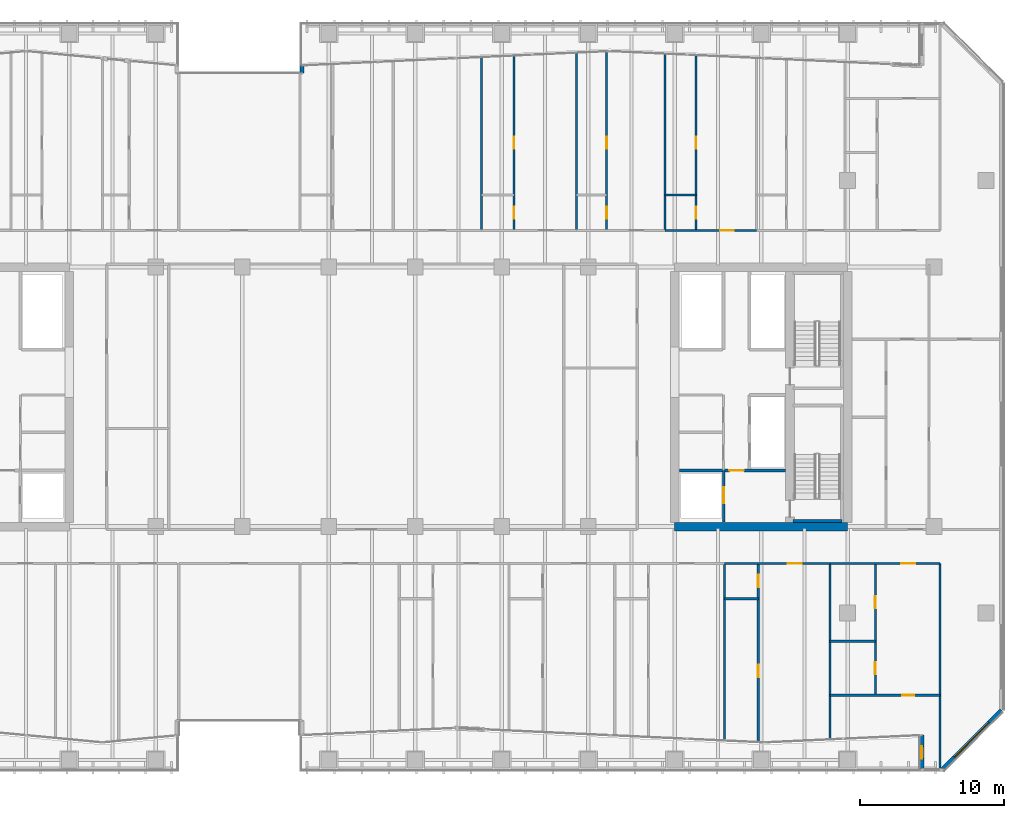
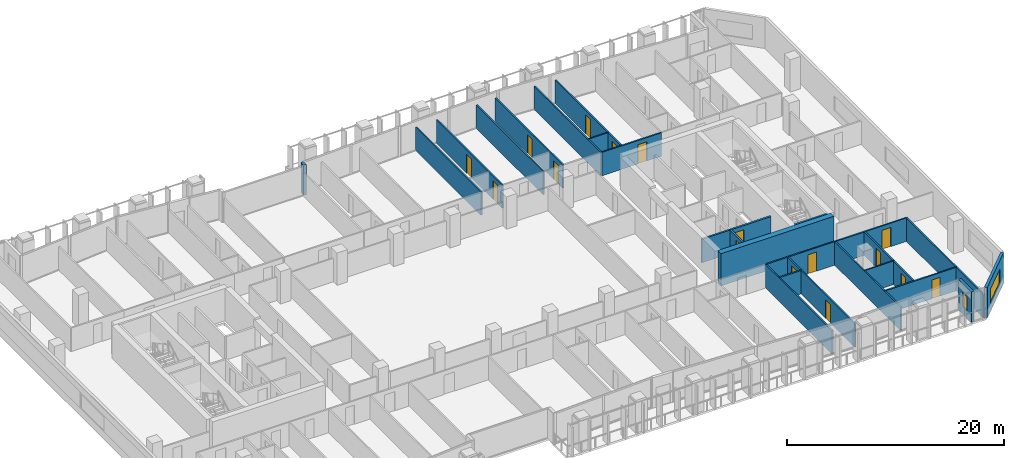
# One storey, part 22 of 31: 25 walls, 16 doors, 2 windows, 18 openings.
"""IFC4 building model written with IfcOpenShell, lengths in metres."""

from ifc_helpers import new_model, si_unit, direction, frame, frame_2d, origin, place, context, subcontext, project, spatial, rectangle, extrude, material, layer, layer_set, type_object, element, fill, save


model = new_model("IFC4")

# Units and contexts
model_context = context("Model", 3, precision=1e-05, world=origin(), true_north=direction((0.0, 1.0)))
body_context = subcontext(model_context, "Body", "Model", "MODEL_VIEW")
ifc_project = project(units=[si_unit("LENGTHUNIT", "METRE"), si_unit("AREAUNIT", "SQUARE_METRE"), si_unit("VOLUMEUNIT", "CUBIC_METRE"), si_unit("PLANEANGLEUNIT", "RADIAN"), si_unit("MASSUNIT", "GRAM", prefix="KILO")], contexts=[model_context])

# Site, building, storey
site_placement = place(None, origin())
site = spatial("IfcSite", under=ifc_project, at=site_placement, CompositionType="ELEMENT")
building_placement = place(site_placement, origin())
building = spatial("IfcBuilding", under=site, at=building_placement, Name="Tanjung Sevakor Pilgrim Tower", CompositionType="ELEMENT")
storey_placement = place(building_placement, frame((0.0, 0.0, 58.739990234375)))
storey = spatial("IfcBuildingStorey", under=building, at=storey_placement, Name="L16", CompositionType="ELEMENT", Elevation=58.739990234375)

# Walls
ifc_material_1 = material(Name="Concrete C60/75", Category="concrete")
ifc_layer_1 = layer(ifc_material_1, 0.60009765625)
ifc_layer_set_1 = layer_set([ifc_layer_1], Name="WALL-CW-600")
wall_type_1 = type_object("IfcWallType", Name="WALL-CW-600", PredefinedType="SHEAR", material=ifc_layer_set_1)
wall_1_placement = place(storey_placement, frame((78.0, 24.60009765625, 0.0), z_axis=(0.0, 0.0, 1.0), x_axis=(1.0, 0.0, 0.0)))
element("IfcWall", 1, at=wall_1_placement, inside=storey, type_object=wall_type_1, Name="L16 E Core South Shear Wall", PredefinedType="SHEAR", context=body_context, shape_type="SweptSolid", body=[
    extrude(rectangle(XDim=12.0, YDim=0.60009765625, at=frame_2d((6.0, 0.0))), origin(), (0.0, 0.0, 1.0), 3.630126953125),
])
ifc_material_2 = material(Name="Concrete C40/50", Category="concrete")
ifc_layer_2 = layer(ifc_material_2, 0.14990234375)
ifc_layer_set_2 = layer_set([ifc_layer_2], Name="WT-COMP-150")
wall_type_2 = type_object("IfcWallType", Name="WT-COMP-150", PredefinedType="SOLIDWALL", material=ifc_layer_set_2)
wall_2_placement = place(storey_placement, frame((96.39990234375, 7.739990234375, 0.0), z_axis=(0.0, 0.0, 1.0), x_axis=(0.0, 1.0, 0.0)))
element("IfcWall", 2, at=wall_2_placement, inside=storey, type_object=wall_type_2, Name="L16 Partition IW-L16-062", PredefinedType="SOLIDWALL", context=body_context, shape_type="SweptSolid", body=[
    extrude(rectangle(XDim=14.31005859375, YDim=0.14990234375, at=frame_2d((7.155029296875, 0.0))), origin(), (0.0, 0.0, 1.0), 2.6298828125),
])
wall_3_placement = place(storey_placement, frame((81.451904296875, 9.750244140625, 0.0), z_axis=(0.0, 0.0, 1.0), x_axis=(0.0, 1.0, 0.0)))
element("IfcWall", 3, at=wall_3_placement, inside=storey, type_object=wall_type_2, Name="L16 Partition IW-L16-073", PredefinedType="SOLIDWALL", context=body_context, shape_type="SweptSolid", body=[
    extrude(rectangle(XDim=12.2998046875, YDim=0.14990234375, at=frame_2d((6.14990234375, 0.0))), origin(), (0.0, 0.0, 1.0), 2.6298828125),
])
wall_4_placement = place(storey_placement, frame((88.784912109375, 9.8310546875, 0.0), z_axis=(0.0, 0.0, 1.0), x_axis=(0.0, 1.0, 0.0)))
element("IfcWall", 4, at=wall_4_placement, inside=storey, type_object=wall_type_2, Name="L16 Partition IW-L16-077", PredefinedType="SOLIDWALL", context=body_context, shape_type="SweptSolid", body=[
    extrude(rectangle(XDim=12.218994140625, YDim=0.14990234375, at=frame_2d((6.109375, 0.0))), origin(), (0.0, 0.0, 1.0), 2.6298828125),
])

# Wall, opening, door
wall_5_placement = place(storey_placement, frame((81.451904296875, 22.050048828125, 0.0), z_axis=(0.0, 0.0, 1.0), x_axis=(1.0, 0.0, 0.0)))
wall_5 = element("IfcWall", 5, at=wall_5_placement, inside=storey, type_object=wall_type_2, Name="L16 Partition IW-L16-080", PredefinedType="SOLIDWALL", context=body_context, shape_type="SweptSolid", body=[
    extrude(rectangle(XDim=7.3330078125, YDim=0.14990234375, at=frame_2d((3.66650390625, 0.0))), origin(), (0.0, 0.0, 1.0), 2.6298828125),
])
opening_1_placement = place(wall_5_placement, frame((4.406494140625, 0.0, 0.0)))
opening_1 = element("IfcOpeningElement", 6, at=opening_1_placement, cuts=wall_5, Name="Opening ID-FD2", PredefinedType="OPENING", context=body_context, shape_type="SweptSolid", body=[
    extrude(rectangle(XDim=0.949951171875, YDim=2.14990234375, at=frame_2d((0.47509765625, 1.074951171875))), frame((0.0, 0.0849609375, 0.0), z_axis=(0.0, -1.0, 0.0), x_axis=(1.0, 0.0, 0.0)), (0.0, 0.0, 1.0), 0.169921875),
])
ifc_material_3 = material(Name="Fire-Rated Timber", Category="wood")
door_type_1 = type_object("IfcDoorType", Name="DT-FIRE-950", OperationType="NOTDEFINED", PredefinedType="DOOR", material=ifc_material_3)
door_1_placement = place(opening_1_placement, origin())
door_1 = element("IfcDoor", 7, at=door_1_placement, inside=storey, type_object=door_type_1, Name="Hostel Quad Entrance", OperationType="SINGLE_SWING_LEFT", OverallHeight=2.14990234375, OverallWidth=0.949951171875, PredefinedType="DOOR", context=body_context, shape_type="SweptSolid", body=[
    extrude(rectangle(XDim=0.949951171875, YDim=2.14990234375, at=frame_2d((0.47509765625, 1.074951171875))), frame((0.0, 0.02490234375, 0.0), z_axis=(0.0, -1.0, 0.0), x_axis=(1.0, 0.0, 0.0)), (0.0, 0.0, 1.0), 0.050048828125),
])
fill(opening_1, door_1)

wall_6_placement = place(storey_placement, frame((88.784912109375, 22.050048828125, 0.0), z_axis=(0.0, 0.0, 1.0), x_axis=(1.0, 0.0, 0.0)))
wall_6 = element("IfcWall", 8, at=wall_6_placement, inside=storey, type_object=wall_type_2, Name="L16 Partition IW-L16-084", PredefinedType="SOLIDWALL", context=body_context, shape_type="SweptSolid", body=[
    extrude(rectangle(XDim=7.614990234375, YDim=0.14990234375, at=frame_2d((3.8076171875, 0.0))), origin(), (0.0, 0.0, 1.0), 2.6298828125),
])
opening_2_placement = place(wall_6_placement, frame((4.940185546875, 0.0, 0.0)))
opening_2 = element("IfcOpeningElement", 9, at=opening_2_placement, cuts=wall_6, Name="Opening ID-FD2", PredefinedType="OPENING", context=body_context, shape_type="SweptSolid", body=[
    extrude(rectangle(XDim=0.949951171875, YDim=2.14990234375, at=frame_2d((0.47509765625, 1.074951171875))), frame((0.0, 0.0849609375, 0.0), z_axis=(0.0, -1.0, 0.0), x_axis=(1.0, 0.0, 0.0)), (0.0, 0.0, 1.0), 0.169921875),
])
door_2_placement = place(opening_2_placement, origin())
door_2 = element("IfcDoor", 10, at=door_2_placement, inside=storey, type_object=door_type_1, Name="Residence Entrance", OperationType="SINGLE_SWING_LEFT", OverallHeight=2.14990234375, OverallWidth=0.949951171875, PredefinedType="DOOR", context=body_context, shape_type="SweptSolid", body=[
    extrude(rectangle(XDim=0.949951171875, YDim=2.14990234375, at=frame_2d((0.47509765625, 1.074951171875))), frame((0.0, 0.02490234375, 0.0), z_axis=(0.0, -1.0, 0.0), x_axis=(1.0, 0.0, 0.0)), (0.0, 0.0, 1.0), 0.050048828125),
])
fill(opening_2, door_2)

# Walls
wall_7_placement = place(storey_placement, frame((64.603271484375, 45.14990234375, 0.0), z_axis=(0.0, 0.0, 1.0), x_axis=(0.0, 1.0, 0.0)))
element("IfcWall", 11, at=wall_7_placement, inside=storey, type_object=wall_type_2, Name="L16 Partition IW-L16-102", PredefinedType="SOLIDWALL", context=body_context, shape_type="SweptSolid", body=[
    extrude(rectangle(XDim=12.01611328125, YDim=0.14990234375, at=frame_2d((6.008056640625, 0.0))), origin(), (0.0, 0.0, 1.0), 2.6298828125),
])
wall_8_placement = place(storey_placement, frame((71.197998046875, 45.14990234375, 0.0), z_axis=(0.0, 0.0, 1.0), x_axis=(0.0, 1.0, 0.0)))
element("IfcWall", 12, at=wall_8_placement, inside=storey, type_object=wall_type_2, Name="L16 Partition IW-L16-104", PredefinedType="SOLIDWALL", context=body_context, shape_type="SweptSolid", body=[
    extrude(rectangle(XDim=12.322998046875, YDim=0.14990234375, at=frame_2d((6.16162109375, 0.0))), origin(), (0.0, 0.0, 1.0), 2.6298828125),
])
wall_9_placement = place(storey_placement, frame((77.322021484375, 45.14990234375, 0.0), z_axis=(0.0, 0.0, 1.0), x_axis=(0.0, 1.0, 0.0)))
element("IfcWall", 13, at=wall_9_placement, inside=storey, type_object=wall_type_2, Name="L16 Partition IW-L16-108", PredefinedType="SOLIDWALL", context=body_context, shape_type="SweptSolid", body=[
    extrude(rectangle(XDim=12.252197265625, YDim=0.14990234375, at=frame_2d((6.1259765625, 0.0))), origin(), (0.0, 0.0, 1.0), 2.6298828125),
])

# Wall, opening, door
wall_10_placement = place(storey_placement, frame((77.322021484375, 45.14990234375, 0.0), z_axis=(0.0, 0.0, 1.0), x_axis=(1.0, 0.0, 0.0)))
wall_10 = element("IfcWall", 14, at=wall_10_placement, inside=storey, type_object=wall_type_2, Name="L16 Partition IW-L16-115", PredefinedType="SOLIDWALL", context=body_context, shape_type="SweptSolid", body=[
    extrude(rectangle(XDim=6.359375, YDim=0.14990234375, at=frame_2d((3.1796875, 0.0))), origin(), (0.0, 0.0, 1.0), 2.6298828125),
])
opening_3_placement = place(wall_10_placement, frame((3.82568359375, 0.0, 0.0)))
opening_3 = element("IfcOpeningElement", 15, at=opening_3_placement, cuts=wall_10, Name="Opening ID-FD2", PredefinedType="OPENING", context=body_context, shape_type="SweptSolid", body=[
    extrude(rectangle(XDim=0.949951171875, YDim=2.14990234375, at=frame_2d((0.47509765625, 1.074951171875))), frame((0.0, 0.0849609375, 0.0), z_axis=(0.0, -1.0, 0.0), x_axis=(1.0, 0.0, 0.0)), (0.0, 0.0, 1.0), 0.169921875),
])
door_3_placement = place(opening_3_placement, origin())
door_3 = element("IfcDoor", 16, at=door_3_placement, inside=storey, type_object=door_type_1, Name="Hostel Quad Entrance", OperationType="SINGLE_SWING_RIGHT", OverallHeight=2.14990234375, OverallWidth=0.949951171875, PredefinedType="DOOR", context=body_context, shape_type="SweptSolid", body=[
    extrude(rectangle(XDim=0.949951171875, YDim=2.14990234375, at=frame_2d((0.47509765625, 1.074951171875))), frame((0.0, 0.02490234375, 0.0), z_axis=(0.0, -1.0, 0.0), x_axis=(1.0, 0.0, 0.0)), (0.0, 0.0, 1.0), 0.050048828125),
])
fill(opening_3, door_3)

# Wall, opening, window
ifc_material_4 = material(Name="Precast concrete C45/55", Category="concrete")
ifc_layer_3 = layer(ifc_material_4, 0.280029296875)
ifc_layer_set_3 = layer_set([ifc_layer_3], Name="WT-EW-STN2")
wall_type_3 = type_object("IfcWallType", Name="WT-EW-STN2", PredefinedType="SOLIDWALL", material=ifc_layer_set_3)
wall_11_placement = place(storey_placement, frame((95.139892578125, 10.126708984375, 0.0), z_axis=(0.0, 0.0, 1.0), x_axis=(0.0, -1.0, 0.0)))
wall_11 = element("IfcWall", 17, at=wall_11_placement, inside=storey, type_object=wall_type_3, Name="L16 MAIN Exterior Wall 14", PredefinedType="SOLIDWALL", context=body_context, shape_type="SweptSolid", body=[
    extrude(rectangle(XDim=2.38671875, YDim=0.280029296875, at=frame_2d((1.193359375, 0.0))), origin(), (0.0, 0.0, 1.0), 3.409912109375),
])
opening_4_placement = place(wall_11_placement, frame((0.768310546875, 0.0, 0.780029296875)))
opening_4 = element("IfcOpeningElement", 18, at=opening_4_placement, cuts=wall_11, Name="Opening WN-SLM", PredefinedType="OPENING", context=body_context, shape_type="SweptSolid", body=[
    extrude(rectangle(XDim=0.85009765625, YDim=1.64990234375, at=frame_2d((0.425048828125, 0.824951171875))), frame((0.0, 0.14990234375, 0.0), z_axis=(0.0, -1.0, 0.0), x_axis=(1.0, 0.0, 0.0)), (0.0, 0.0, 1.0), 0.300048828125),
])
ifc_material_5 = material(Name="Thermally Broken Aluminium and Low-E Glass", Category="aluminium")
window_type_1 = type_object("IfcWindowType", Name="WTYP-WN-SLM", PartitioningType="SINGLE_PANEL", PredefinedType="WINDOW", material=ifc_material_5)
window_1_placement = place(opening_4_placement, origin())
window_1 = element("IfcWindow", 19, at=window_1_placement, inside=storey, type_object=window_type_1, Name="L16 Facade Window 01", OverallHeight=1.64990234375, OverallWidth=0.85009765625, PartitioningType="SINGLE_PANEL", PredefinedType="WINDOW", context=body_context, shape_type="SweptSolid", body=[
    extrude(rectangle(XDim=0.85009765625, YDim=1.64990234375, at=frame_2d((0.425048828125, 0.824951171875))), frame((0.0, 0.030029296875, 0.0), z_axis=(0.0, -1.0, 0.0), x_axis=(1.0, 0.0, 0.0)), (0.0, 0.0, 1.0), 0.06005859375),
])
fill(opening_4, window_1)

wall_12_placement = place(storey_placement, frame((96.5419921875, 7.739990234375, 0.0), z_axis=(0.0, 0.0, 1.0), x_axis=(0.707106781187, 0.707106781187, 0.0)))
wall_12 = element("IfcWall", 20, at=wall_12_placement, inside=storey, type_object=wall_type_3, Name="L16 MAIN Sculpted Corner Wall 15", PredefinedType="SOLIDWALL", context=body_context, shape_type="SweptSolid", body=[
    extrude(rectangle(XDim=5.82373046875, YDim=0.280029296875, at=frame_2d((2.911865234375, 0.0))), origin(), (0.0, 0.0, 1.0), 3.409912109375),
])
opening_5_placement = place(wall_12_placement, frame((1.2119140625, 0.0, 0.780029296875)))
opening_5 = element("IfcOpeningElement", 21, at=opening_5_placement, cuts=wall_12, Name="Opening WN-CHM-1660", PredefinedType="OPENING", context=body_context, shape_type="SweptSolid", body=[
    extrude(rectangle(XDim=3.39990234375, YDim=1.659912109375, at=frame_2d((1.699951171875, 0.830078125))), frame((0.0, 0.14990234375, 0.0), z_axis=(0.0, -1.0, 0.0), x_axis=(1.0, 0.0, 0.0)), (0.0, 0.0, 1.0), 0.300048828125),
])
ifc_material_6 = material(Name="Thermally Broken Aluminium and Low-E Glass", Category="aluminium")
window_type_2 = type_object("IfcWindowType", Name="WTYP-WN-CHM-1660", PartitioningType="DOUBLE_PANEL_VERTICAL", PredefinedType="WINDOW", material=ifc_material_6)
window_2_placement = place(opening_5_placement, origin())
window_2 = element("IfcWindow", 22, at=window_2_placement, inside=storey, type_object=window_type_2, Name="L16 Facade Window 01", OverallHeight=1.659912109375, OverallWidth=3.39990234375, PartitioningType="SINGLE_PANEL", PredefinedType="WINDOW", context=body_context, shape_type="SweptSolid", body=[
    extrude(rectangle(XDim=3.39990234375, YDim=1.659912109375, at=frame_2d((1.699951171875, 0.830078125))), frame((0.0, 0.030029296875, 0.0), z_axis=(0.0, -1.0, 0.0), x_axis=(1.0, 0.0, 0.0)), (0.0, 0.0, 1.0), 0.06005859375),
])
fill(opening_5, window_2)

# Walls
wall_13_placement = place(storey_placement, frame((52.139892578125, 56.58642578125, 0.0), z_axis=(0.0, 0.0, 1.0), x_axis=(0.0, -1.0, 0.0)))
element("IfcWall", 23, at=wall_13_placement, inside=storey, type_object=wall_type_3, Name="L16 MAIN Exterior Wall 25", PredefinedType="SOLIDWALL", context=body_context, shape_type="SweptSolid", body=[
    extrude(rectangle(XDim=0.5263671875, YDim=0.280029296875, at=frame_2d((0.26318359375, 0.0))), origin(), (0.0, 0.0, 1.0), 3.409912109375),
])
ifc_material_7 = material(Name="Concrete C40/50", Category="concrete")
ifc_layer_4 = layer(ifc_material_7, 0.199951171875)
ifc_layer_set_4 = layer_set([ifc_layer_4], Name="WT-FIRE-200")
wall_type_4 = type_object("IfcWallType", Name="WT-FIRE-200", PredefinedType="SOLIDWALL", material=ifc_layer_set_4)
wall_14_placement = place(storey_placement, frame((86.199951171875, 25.0, 0.0), z_axis=(0.0, 0.0, 1.0), x_axis=(1.0, 0.0, 0.0)))
element("IfcWall", 24, at=wall_14_placement, inside=storey, type_object=wall_type_4, Name="L16 TS-E1 Shaft Wall 1", PredefinedType="SOLIDWALL", context=body_context, shape_type="SweptSolid", body=[
    extrude(rectangle(XDim=3.400146484375, YDim=0.199951171875, at=frame_2d((1.7001953125, 0.0))), origin(), (0.0, 0.0, 1.0), 3.630126953125),
])

# Wall, opening, door
ifc_material_8 = material(Name="Concrete C40/50", Category="concrete")
ifc_layer_5 = layer(ifc_material_8, 0.199951171875)
ifc_layer_set_5 = layer_set([ifc_layer_5], Name="WT-FPRT-200")
wall_type_5 = type_object("IfcWallType", Name="WT-FPRT-200", PredefinedType="SOLIDWALL", material=ifc_layer_set_5)
wall_15_placement = place(storey_placement, frame((81.39990234375, 24.919921875, 0.0), z_axis=(0.0, 0.0, 1.0), x_axis=(0.0, 1.0, 0.0)))
wall_15 = element("IfcWall", 25, at=wall_15_placement, inside=storey, type_object=wall_type_5, Name="L16 Partition IW-L16-012", PredefinedType="SOLIDWALL", context=body_context, shape_type="SweptSolid", body=[
    extrude(rectangle(XDim=3.580078125, YDim=0.199951171875, at=frame_2d((1.7900390625, 0.0))), origin(), (0.0, 0.0, 1.0), 2.6298828125),
])
opening_6_placement = place(wall_15_placement, frame((1.300048828125, 0.0, 0.0)))
opening_6 = element("IfcOpeningElement", 26, at=opening_6_placement, cuts=wall_15, Name="Opening LD-1100", PredefinedType="OPENING", context=body_context, shape_type="SweptSolid", body=[
    extrude(rectangle(XDim=1.10009765625, YDim=2.199951171875, at=frame_2d((0.550048828125, 1.10009765625))), frame((0.0, 0.10986328125, 0.0), z_axis=(0.0, -1.0, 0.0), x_axis=(1.0, 0.0, 0.0)), (0.0, 0.0, 1.0), 0.219970703125),
])
ifc_material_9 = material(Name="Brushed Stainless Steel S355J2", Category="steel")
door_type_2 = type_object("IfcDoorType", Name="DT-LIFT-1100", OperationType="SLIDING_TO_LEFT", PredefinedType="DOOR", material=ifc_material_9)
door_4_placement = place(opening_6_placement, origin())
door_4 = element("IfcDoor", 27, at=door_4_placement, inside=storey, type_object=door_type_2, Name="LD-FL-E", OperationType="SLIDING_TO_LEFT", OverallHeight=2.199951171875, OverallWidth=1.10009765625, PredefinedType="DOOR", context=body_context, shape_type="SweptSolid", body=[
    extrude(rectangle(XDim=1.10009765625, YDim=2.199951171875, at=frame_2d((0.550048828125, 1.10009765625))), frame((0.0, 0.02490234375, 0.0), z_axis=(0.0, -1.0, 0.0), x_axis=(1.0, 0.0, 0.0)), (0.0, 0.0, 1.0), 0.050048828125),
])
fill(opening_6, door_4)

wall_16_placement = place(storey_placement, frame((78.320068359375, 28.5, 0.0), z_axis=(0.0, 0.0, 1.0), x_axis=(1.0, 0.0, 0.0)))
wall_16 = element("IfcWall", 28, at=wall_16_placement, inside=storey, type_object=wall_type_5, Name="L16 Partition IW-L16-013", PredefinedType="SOLIDWALL", context=body_context, shape_type="SweptSolid", body=[
    extrude(rectangle(XDim=7.35986328125, YDim=0.199951171875, at=frame_2d((3.679931640625, 0.0))), origin(), (0.0, 0.0, 1.0), 2.6298828125),
])
opening_7_placement = place(wall_16_placement, frame((3.47998046875, 0.0, 0.0)))
opening_7 = element("IfcOpeningElement", 29, at=opening_7_placement, cuts=wall_16, Name="Opening ID-FD1", PredefinedType="OPENING", context=body_context, shape_type="SweptSolid", body=[
    extrude(rectangle(XDim=1.0, YDim=2.14990234375, at=frame_2d((0.5, 1.074951171875))), frame((0.0, 0.10986328125, 0.0), z_axis=(0.0, -1.0, 0.0), x_axis=(1.0, 0.0, 0.0)), (0.0, 0.0, 1.0), 0.219970703125),
])
ifc_material_10 = material(Name="Fire-Rated Steel S355J2", Category="steel")
door_type_3 = type_object("IfcDoorType", Name="DT-FIRE-1000", OperationType="NOTDEFINED", PredefinedType="DOOR", material=ifc_material_10)
door_5_placement = place(opening_7_placement, origin())
door_5 = element("IfcDoor", 30, at=door_5_placement, inside=storey, type_object=door_type_3, Name="Fire Lobby Door E", OperationType="SINGLE_SWING_LEFT", OverallHeight=2.14990234375, OverallWidth=1.0, PredefinedType="DOOR", context=body_context, shape_type="SweptSolid", body=[
    extrude(rectangle(XDim=1.0, YDim=2.14990234375, at=frame_2d((0.5, 1.074951171875))), frame((0.0, 0.02490234375, 0.0), z_axis=(0.0, -1.0, 0.0), x_axis=(1.0, 0.0, 0.0)), (0.0, 0.0, 1.0), 0.050048828125),
])
fill(opening_7, door_5)

# Wall
ifc_material_11 = material(Name="Gypsum Board Partition", Category="gypsum board")
ifc_layer_6 = layer(ifc_material_11, 0.14990234375)
ifc_layer_set_6 = layer_set([ifc_layer_6], Name="WT-PART-150")
wall_type_6 = type_object("IfcWallType", Name="WT-PART-150", PredefinedType="PARTITIONING", material=ifc_layer_set_6)
wall_17_placement = place(storey_placement, frame((81.451904296875, 19.60009765625, 0.0), z_axis=(0.0, 0.0, 1.0), x_axis=(1.0, 0.0, 0.0)))
element("IfcWall", 31, at=wall_17_placement, inside=storey, type_object=wall_type_6, Name="L16 Partition IW-L16-078", PredefinedType="PARTITIONING", context=body_context, shape_type="SweptSolid", body=[
    extrude(rectangle(XDim=2.35009765625, YDim=0.14990234375, at=frame_2d((1.175048828125, 0.0))), origin(), (0.0, 0.0, 1.0), 2.6298828125),
])

# Wall, openings, doors
wall_18_placement = place(storey_placement, frame((83.802001953125, 9.64111328125, 0.0), z_axis=(0.0, 0.0, 1.0), x_axis=(0.0, 1.0, 0.0)))
wall_18 = element("IfcWall", 32, at=wall_18_placement, inside=storey, type_object=wall_type_6, Name="L16 Partition IW-L16-079", PredefinedType="PARTITIONING", context=body_context, shape_type="SweptSolid", body=[
    extrude(rectangle(XDim=12.408935546875, YDim=0.14990234375, at=frame_2d((6.20458984375, 0.0))), origin(), (0.0, 0.0, 1.0), 2.6298828125),
])
opening_8_placement = place(wall_18_placement, frame((4.509033203125, 0.0, 0.0)))
opening_8 = element("IfcOpeningElement", 33, at=opening_8_placement, cuts=wall_18, Name="Opening ID-WC1", PredefinedType="OPENING", context=body_context, shape_type="SweptSolid", body=[
    extrude(rectangle(XDim=0.85009765625, YDim=2.10009765625, at=frame_2d((0.425048828125, 1.050048828125))), frame((0.0, 0.0849609375, 0.0), z_axis=(0.0, -1.0, 0.0), x_axis=(1.0, 0.0, 0.0)), (0.0, 0.0, 1.0), 0.169921875),
])
opening_9_placement = place(wall_18_placement, frame((10.759033203125, 0.0, 0.0)))
opening_9 = element("IfcOpeningElement", 34, at=opening_9_placement, cuts=wall_18, Name="Opening ID-WC1", PredefinedType="OPENING", context=body_context, shape_type="SweptSolid", body=[
    extrude(rectangle(XDim=0.85009765625, YDim=2.10009765625, at=frame_2d((0.425048828125, 1.050048828125))), frame((0.0, 0.0849609375, 0.0), z_axis=(0.0, -1.0, 0.0), x_axis=(1.0, 0.0, 0.0)), (0.0, 0.0, 1.0), 0.169921875),
])
ifc_material_12 = material(Name="Moisture-Resistant Timber", Category="wood")
door_type_4 = type_object("IfcDoorType", Name="DT-INT-850", OperationType="NOTDEFINED", PredefinedType="DOOR", material=ifc_material_12)
door_6_placement = place(opening_8_placement, origin())
door_6 = element("IfcDoor", 35, at=door_6_placement, inside=storey, type_object=door_type_4, Name="Study Nook Door", OperationType="SINGLE_SWING_LEFT", OverallHeight=2.10009765625, OverallWidth=0.85009765625, PredefinedType="DOOR", context=body_context, shape_type="SweptSolid", body=[
    extrude(rectangle(XDim=0.85009765625, YDim=2.10009765625, at=frame_2d((0.425048828125, 1.050048828125))), frame((0.0, 0.02490234375, 0.0), z_axis=(0.0, -1.0, 0.0), x_axis=(1.0, 0.0, 0.0)), (0.0, 0.0, 1.0), 0.050048828125),
])
fill(opening_8, door_6)
door_7_placement = place(opening_9_placement, origin())
door_7 = element("IfcDoor", 36, at=door_7_placement, inside=storey, type_object=door_type_4, Name="Bathroom Door", OperationType="SINGLE_SWING_RIGHT", OverallHeight=2.10009765625, OverallWidth=0.85009765625, PredefinedType="DOOR", context=body_context, shape_type="SweptSolid", body=[
    extrude(rectangle(XDim=0.85009765625, YDim=2.10009765625, at=frame_2d((0.425048828125, 1.050048828125))), frame((0.0, 0.02490234375, 0.0), z_axis=(0.0, -1.0, 0.0), x_axis=(1.0, 0.0, 0.0)), (0.0, 0.0, 1.0), 0.050048828125),
])
fill(opening_9, door_7)

# Wall
wall_19_placement = place(storey_placement, frame((88.784912109375, 16.651611328125, 0.0), z_axis=(0.0, 0.0, 1.0), x_axis=(1.0, 0.0, 0.0)))
element("IfcWall", 37, at=wall_19_placement, inside=storey, type_object=wall_type_6, Name="L16 Partition IW-L16-081", PredefinedType="PARTITIONING", context=body_context, shape_type="SweptSolid", body=[
    extrude(rectangle(XDim=3.135009765625, YDim=0.14990234375, at=frame_2d((1.5673828125, 0.0))), origin(), (0.0, 0.0, 1.0), 2.6298828125),
])

# Wall, openings, doors
wall_20_placement = place(storey_placement, frame((91.919921875, 12.89990234375, 0.0), z_axis=(0.0, 0.0, 1.0), x_axis=(0.0, 1.0, 0.0)))
wall_20 = element("IfcWall", 38, at=wall_20_placement, inside=storey, type_object=wall_type_6, Name="L16 Partition IW-L16-082", PredefinedType="PARTITIONING", context=body_context, shape_type="SweptSolid", body=[
    extrude(rectangle(XDim=9.150146484375, YDim=0.14990234375, at=frame_2d((4.5751953125, 0.0))), origin(), (0.0, 0.0, 1.0), 2.6298828125),
])
opening_10_placement = place(wall_20_placement, frame((1.45068359375, 0.0, 0.0)))
opening_10 = element("IfcOpeningElement", 39, at=opening_10_placement, cuts=wall_20, Name="Opening ID-WC1", PredefinedType="OPENING", context=body_context, shape_type="SweptSolid", body=[
    extrude(rectangle(XDim=0.85009765625, YDim=2.10009765625, at=frame_2d((0.425048828125, 1.050048828125))), frame((0.0, 0.0849609375, 0.0), z_axis=(0.0, -1.0, 0.0), x_axis=(1.0, 0.0, 0.0)), (0.0, 0.0, 1.0), 0.169921875),
])
opening_11_placement = place(wall_20_placement, frame((6.025634765625, 0.0, 0.0)))
opening_11 = element("IfcOpeningElement", 40, at=opening_11_placement, cuts=wall_20, Name="Opening ID-WC1", PredefinedType="OPENING", context=body_context, shape_type="SweptSolid", body=[
    extrude(rectangle(XDim=0.85009765625, YDim=2.10009765625, at=frame_2d((0.425048828125, 1.050048828125))), frame((0.0, 0.0849609375, 0.0), z_axis=(0.0, -1.0, 0.0), x_axis=(1.0, 0.0, 0.0)), (0.0, 0.0, 1.0), 0.169921875),
])
door_8_placement = place(opening_10_placement, origin())
door_8 = element("IfcDoor", 41, at=door_8_placement, inside=storey, type_object=door_type_4, Name="Residence Bathroom Door", OperationType="SINGLE_SWING_RIGHT", OverallHeight=2.10009765625, OverallWidth=0.85009765625, PredefinedType="DOOR", context=body_context, shape_type="SweptSolid", body=[
    extrude(rectangle(XDim=0.85009765625, YDim=2.10009765625, at=frame_2d((0.425048828125, 1.050048828125))), frame((0.0, 0.02490234375, 0.0), z_axis=(0.0, -1.0, 0.0), x_axis=(1.0, 0.0, 0.0)), (0.0, 0.0, 1.0), 0.050048828125),
])
fill(opening_10, door_8)
door_9_placement = place(opening_11_placement, origin())
door_9 = element("IfcDoor", 42, at=door_9_placement, inside=storey, type_object=door_type_4, Name="Residence Kitchenette Door", OperationType="SINGLE_SWING_LEFT", OverallHeight=2.10009765625, OverallWidth=0.85009765625, PredefinedType="DOOR", context=body_context, shape_type="SweptSolid", body=[
    extrude(rectangle(XDim=0.85009765625, YDim=2.10009765625, at=frame_2d((0.425048828125, 1.050048828125))), frame((0.0, 0.02490234375, 0.0), z_axis=(0.0, -1.0, 0.0), x_axis=(1.0, 0.0, 0.0)), (0.0, 0.0, 1.0), 0.050048828125),
])
fill(opening_11, door_9)

# Wall, opening, door
wall_21_placement = place(storey_placement, frame((88.784912109375, 12.89990234375, 0.0), z_axis=(0.0, 0.0, 1.0), x_axis=(1.0, 0.0, 0.0)))
wall_21 = element("IfcWall", 43, at=wall_21_placement, inside=storey, type_object=wall_type_6, Name="L16 Partition IW-L16-083", PredefinedType="PARTITIONING", context=body_context, shape_type="SweptSolid", body=[
    extrude(rectangle(XDim=7.614990234375, YDim=0.14990234375, at=frame_2d((3.8076171875, 0.0))), origin(), (0.0, 0.0, 1.0), 2.6298828125),
])
opening_12_placement = place(wall_21_placement, frame((4.989990234375, 0.0, 0.0)))
opening_12 = element("IfcOpeningElement", 44, at=opening_12_placement, cuts=wall_21, Name="Opening ID-WC1", PredefinedType="OPENING", context=body_context, shape_type="SweptSolid", body=[
    extrude(rectangle(XDim=0.85009765625, YDim=2.10009765625, at=frame_2d((0.425048828125, 1.050048828125))), frame((0.0, 0.0849609375, 0.0), z_axis=(0.0, -1.0, 0.0), x_axis=(1.0, 0.0, 0.0)), (0.0, 0.0, 1.0), 0.169921875),
])
door_10_placement = place(opening_12_placement, origin())
door_10 = element("IfcDoor", 45, at=door_10_placement, inside=storey, type_object=door_type_4, Name="Residence Bedroom Door", OperationType="SINGLE_SWING_RIGHT", OverallHeight=2.10009765625, OverallWidth=0.85009765625, PredefinedType="DOOR", context=body_context, shape_type="SweptSolid", body=[
    extrude(rectangle(XDim=0.85009765625, YDim=2.10009765625, at=frame_2d((0.425048828125, 1.050048828125))), frame((0.0, 0.02490234375, 0.0), z_axis=(0.0, -1.0, 0.0), x_axis=(1.0, 0.0, 0.0)), (0.0, 0.0, 1.0), 0.050048828125),
])
fill(opening_12, door_10)

# Wall, openings, doors
wall_22_placement = place(storey_placement, frame((66.845458984375, 45.14990234375, 0.0), z_axis=(0.0, 0.0, 1.0), x_axis=(0.0, 1.0, 0.0)))
wall_22 = element("IfcWall", 46, at=wall_22_placement, inside=storey, type_object=wall_type_6, Name="L16 Partition IW-L16-106", PredefinedType="PARTITIONING", context=body_context, shape_type="SweptSolid", body=[
    extrude(rectangle(XDim=12.120361328125, YDim=0.14990234375, at=frame_2d((6.06005859375, 0.0))), origin(), (0.0, 0.0, 1.0), 2.6298828125),
])
opening_13_placement = place(wall_22_placement, frame((0.800048828125, 0.0, 0.0)))
opening_13 = element("IfcOpeningElement", 47, at=opening_13_placement, cuts=wall_22, Name="Opening ID-WC1", PredefinedType="OPENING", context=body_context, shape_type="SweptSolid", body=[
    extrude(rectangle(XDim=0.85009765625, YDim=2.10009765625, at=frame_2d((0.425048828125, 1.050048828125))), frame((0.0, 0.0849609375, 0.0), z_axis=(0.0, -1.0, 0.0), x_axis=(1.0, 0.0, 0.0)), (0.0, 0.0, 1.0), 0.169921875),
])
opening_14_placement = place(wall_22_placement, frame((5.64990234375, 0.0, 0.0)))
opening_14 = element("IfcOpeningElement", 48, at=opening_14_placement, cuts=wall_22, Name="Opening ID-WC1", PredefinedType="OPENING", context=body_context, shape_type="SweptSolid", body=[
    extrude(rectangle(XDim=0.85009765625, YDim=2.10009765625, at=frame_2d((0.425048828125, 1.050048828125))), frame((0.0, 0.0849609375, 0.0), z_axis=(0.0, -1.0, 0.0), x_axis=(1.0, 0.0, 0.0)), (0.0, 0.0, 1.0), 0.169921875),
])
door_11_placement = place(opening_13_placement, origin())
door_11 = element("IfcDoor", 49, at=door_11_placement, inside=storey, type_object=door_type_4, Name="Bathroom Door", OperationType="SINGLE_SWING_RIGHT", OverallHeight=2.10009765625, OverallWidth=0.85009765625, PredefinedType="DOOR", context=body_context, shape_type="SweptSolid", body=[
    extrude(rectangle(XDim=0.85009765625, YDim=2.10009765625, at=frame_2d((0.425048828125, 1.050048828125))), frame((0.0, 0.02490234375, 0.0), z_axis=(0.0, -1.0, 0.0), x_axis=(1.0, 0.0, 0.0)), (0.0, 0.0, 1.0), 0.050048828125),
])
fill(opening_13, door_11)
door_12_placement = place(opening_14_placement, origin())
door_12 = element("IfcDoor", 50, at=door_12_placement, inside=storey, type_object=door_type_4, Name="Study Nook Door", OperationType="SINGLE_SWING_LEFT", OverallHeight=2.10009765625, OverallWidth=0.85009765625, PredefinedType="DOOR", context=body_context, shape_type="SweptSolid", body=[
    extrude(rectangle(XDim=0.85009765625, YDim=2.10009765625, at=frame_2d((0.425048828125, 1.050048828125))), frame((0.0, 0.02490234375, 0.0), z_axis=(0.0, -1.0, 0.0), x_axis=(1.0, 0.0, 0.0)), (0.0, 0.0, 1.0), 0.050048828125),
])
fill(opening_14, door_12)

wall_23_placement = place(storey_placement, frame((73.2802734375, 45.14990234375, 0.0), z_axis=(0.0, 0.0, 1.0), x_axis=(0.0, 1.0, 0.0)))
wall_23 = element("IfcWall", 51, at=wall_23_placement, inside=storey, type_object=wall_type_6, Name="L16 Partition IW-L16-110", PredefinedType="PARTITIONING", context=body_context, shape_type="SweptSolid", body=[
    extrude(rectangle(XDim=12.419677734375, YDim=0.14990234375, at=frame_2d((6.2099609375, 0.0))), origin(), (0.0, 0.0, 1.0), 2.6298828125),
])
opening_15_placement = place(wall_23_placement, frame((0.800048828125, 0.0, 0.0)))
opening_15 = element("IfcOpeningElement", 52, at=opening_15_placement, cuts=wall_23, Name="Opening ID-WC1", PredefinedType="OPENING", context=body_context, shape_type="SweptSolid", body=[
    extrude(rectangle(XDim=0.85009765625, YDim=2.10009765625, at=frame_2d((0.425048828125, 1.050048828125))), frame((0.0, 0.0849609375, 0.0), z_axis=(0.0, -1.0, 0.0), x_axis=(1.0, 0.0, 0.0)), (0.0, 0.0, 1.0), 0.169921875),
])
opening_16_placement = place(wall_23_placement, frame((5.64990234375, 0.0, 0.0)))
opening_16 = element("IfcOpeningElement", 53, at=opening_16_placement, cuts=wall_23, Name="Opening ID-WC1", PredefinedType="OPENING", context=body_context, shape_type="SweptSolid", body=[
    extrude(rectangle(XDim=0.85009765625, YDim=2.10009765625, at=frame_2d((0.425048828125, 1.050048828125))), frame((0.0, 0.0849609375, 0.0), z_axis=(0.0, -1.0, 0.0), x_axis=(1.0, 0.0, 0.0)), (0.0, 0.0, 1.0), 0.169921875),
])
door_13_placement = place(opening_15_placement, origin())
door_13 = element("IfcDoor", 54, at=door_13_placement, inside=storey, type_object=door_type_4, Name="Bathroom Door", OperationType="SINGLE_SWING_LEFT", OverallHeight=2.10009765625, OverallWidth=0.85009765625, PredefinedType="DOOR", context=body_context, shape_type="SweptSolid", body=[
    extrude(rectangle(XDim=0.85009765625, YDim=2.10009765625, at=frame_2d((0.425048828125, 1.050048828125))), frame((0.0, 0.02490234375, 0.0), z_axis=(0.0, -1.0, 0.0), x_axis=(1.0, 0.0, 0.0)), (0.0, 0.0, 1.0), 0.050048828125),
])
fill(opening_15, door_13)
door_14_placement = place(opening_16_placement, origin())
door_14 = element("IfcDoor", 55, at=door_14_placement, inside=storey, type_object=door_type_4, Name="Study Nook Door", OperationType="SINGLE_SWING_RIGHT", OverallHeight=2.10009765625, OverallWidth=0.85009765625, PredefinedType="DOOR", context=body_context, shape_type="SweptSolid", body=[
    extrude(rectangle(XDim=0.85009765625, YDim=2.10009765625, at=frame_2d((0.425048828125, 1.050048828125))), frame((0.0, 0.02490234375, 0.0), z_axis=(0.0, -1.0, 0.0), x_axis=(1.0, 0.0, 0.0)), (0.0, 0.0, 1.0), 0.050048828125),
])
fill(opening_16, door_14)

# Wall
wall_24_placement = place(storey_placement, frame((77.322021484375, 47.60009765625, 0.0), z_axis=(0.0, 0.0, 1.0), x_axis=(1.0, 0.0, 0.0)))
element("IfcWall", 56, at=wall_24_placement, inside=storey, type_object=wall_type_6, Name="L16 Partition IW-L16-113", PredefinedType="PARTITIONING", context=body_context, shape_type="SweptSolid", body=[
    extrude(rectangle(XDim=2.162109375, YDim=0.14990234375, at=frame_2d((1.0810546875, 0.0))), origin(), (0.0, 0.0, 1.0), 2.6298828125),
])

# Wall, openings, doors
wall_25_placement = place(storey_placement, frame((79.484130859375, 45.14990234375, 0.0), z_axis=(0.0, 0.0, 1.0), x_axis=(0.0, 1.0, 0.0)))
wall_25 = element("IfcWall", 57, at=wall_25_placement, inside=storey, type_object=wall_type_6, Name="L16 Partition IW-L16-114", PredefinedType="PARTITIONING", context=body_context, shape_type="SweptSolid", body=[
    extrude(rectangle(XDim=12.151611328125, YDim=0.14990234375, at=frame_2d((6.07568359375, 0.0))), origin(), (0.0, 0.0, 1.0), 2.6298828125),
])
opening_17_placement = place(wall_25_placement, frame((0.800048828125, 0.0, 0.0)))
opening_17 = element("IfcOpeningElement", 58, at=opening_17_placement, cuts=wall_25, Name="Opening ID-WC1", PredefinedType="OPENING", context=body_context, shape_type="SweptSolid", body=[
    extrude(rectangle(XDim=0.85009765625, YDim=2.10009765625, at=frame_2d((0.425048828125, 1.050048828125))), frame((0.0, 0.0849609375, 0.0), z_axis=(0.0, -1.0, 0.0), x_axis=(1.0, 0.0, 0.0)), (0.0, 0.0, 1.0), 0.169921875),
])
opening_18_placement = place(wall_25_placement, frame((5.64990234375, 0.0, 0.0)))
opening_18 = element("IfcOpeningElement", 59, at=opening_18_placement, cuts=wall_25, Name="Opening ID-WC1", PredefinedType="OPENING", context=body_context, shape_type="SweptSolid", body=[
    extrude(rectangle(XDim=0.85009765625, YDim=2.10009765625, at=frame_2d((0.425048828125, 1.050048828125))), frame((0.0, 0.0849609375, 0.0), z_axis=(0.0, -1.0, 0.0), x_axis=(1.0, 0.0, 0.0)), (0.0, 0.0, 1.0), 0.169921875),
])
door_15_placement = place(opening_17_placement, origin())
door_15 = element("IfcDoor", 60, at=door_15_placement, inside=storey, type_object=door_type_4, Name="Bathroom Door", OperationType="SINGLE_SWING_RIGHT", OverallHeight=2.10009765625, OverallWidth=0.85009765625, PredefinedType="DOOR", context=body_context, shape_type="SweptSolid", body=[
    extrude(rectangle(XDim=0.85009765625, YDim=2.10009765625, at=frame_2d((0.425048828125, 1.050048828125))), frame((0.0, 0.02490234375, 0.0), z_axis=(0.0, -1.0, 0.0), x_axis=(1.0, 0.0, 0.0)), (0.0, 0.0, 1.0), 0.050048828125),
])
fill(opening_17, door_15)
door_16_placement = place(opening_18_placement, origin())
door_16 = element("IfcDoor", 61, at=door_16_placement, inside=storey, type_object=door_type_4, Name="Study Nook Door", OperationType="SINGLE_SWING_LEFT", OverallHeight=2.10009765625, OverallWidth=0.85009765625, PredefinedType="DOOR", context=body_context, shape_type="SweptSolid", body=[
    extrude(rectangle(XDim=0.85009765625, YDim=2.10009765625, at=frame_2d((0.425048828125, 1.050048828125))), frame((0.0, 0.02490234375, 0.0), z_axis=(0.0, -1.0, 0.0), x_axis=(1.0, 0.0, 0.0)), (0.0, 0.0, 1.0), 0.050048828125),
])
fill(opening_18, door_16)

save(model, "model.ifc")
